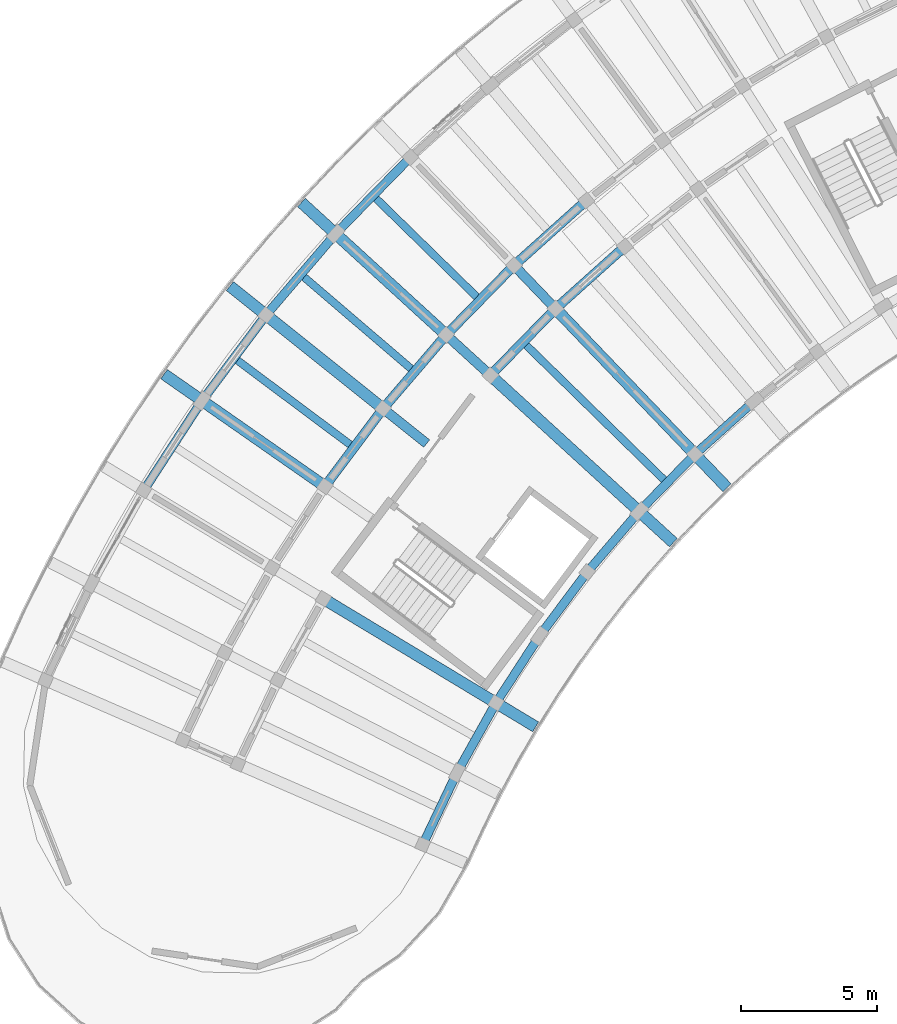
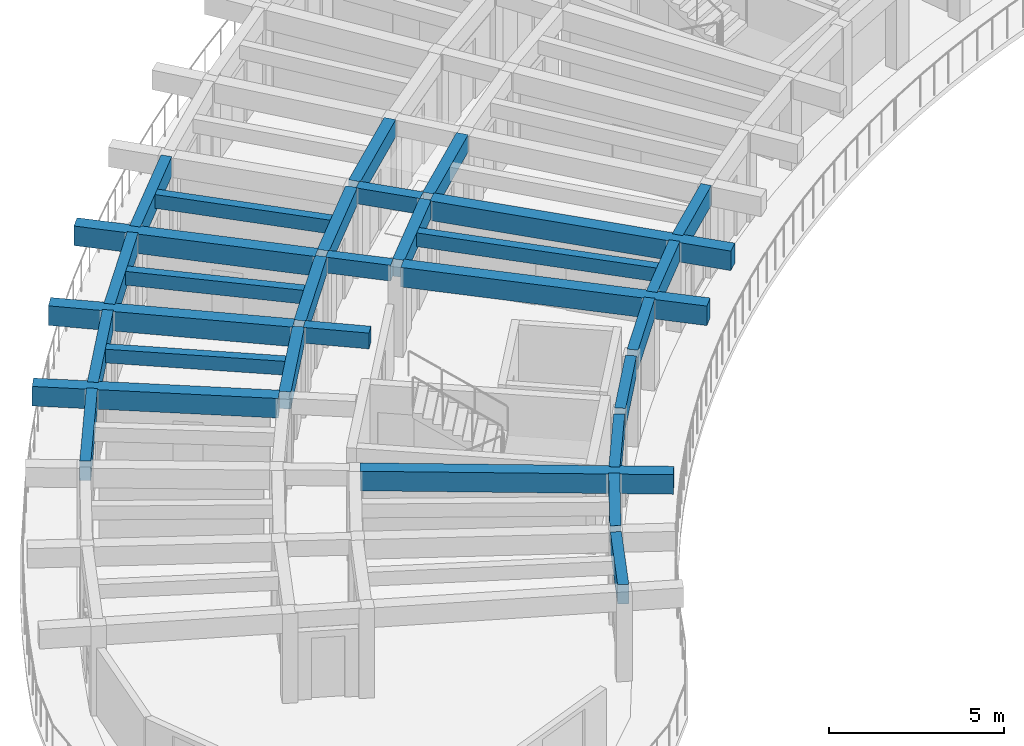
# One storey, part 4 of 36: 30 beams.
"""IFC4 building model written with IfcOpenShell, lengths in metres."""

from ifc_helpers import new_model, si_unit, direction, frame, origin, origin_2d, place, context, subcontext, project, spatial, rectangle, extrude, material, material_profile, profile_set, type_object, element, save


model = new_model("IFC4")

# Units and contexts
model_context = context("Model", 3, precision=1e-05, world=origin(), true_north=direction((0.0, 1.0)))
body_context = subcontext(model_context, "Body", "Model", "MODEL_VIEW")
ifc_project = project(units=[si_unit("LENGTHUNIT", "METRE"), si_unit("AREAUNIT", "SQUARE_METRE"), si_unit("VOLUMEUNIT", "CUBIC_METRE"), si_unit("PLANEANGLEUNIT", "RADIAN"), si_unit("MASSUNIT", "GRAM", prefix="KILO")], contexts=[model_context])

# Site, building, storey
site_placement = place(None, origin())
site = spatial("IfcSite", under=ifc_project, at=site_placement, CompositionType="ELEMENT")
building_placement = place(site_placement, origin())
building = spatial("IfcBuilding", under=site, at=building_placement, Name="Tanwirah Colonnade Gardens", CompositionType="ELEMENT")
storey_placement = place(building_placement, frame((0.0, 0.0, 39.080078125)))
storey = spatial("IfcBuildingStorey", under=building, at=storey_placement, Name="L11", CompositionType="ELEMENT", Elevation=39.080078125)

# Beams
ifc_material_1 = material(Name="Precast concrete C40/50", Category="concrete")
ifc_material_profile_1 = material_profile(ifc_material_1, rectangle(XDim=0.35009765625, YDim=0.550048828125, at=origin_2d()), Name="PC-BM 350x550")
ifc_profile_set_1 = profile_set([ifc_material_profile_1], Name="Precast concrete C40/50")
beam_type_1 = type_object("IfcBeamType", Name="BM-PC350A", PredefinedType="BEAM", material=ifc_profile_set_1)
beam_1_placement = place(storey_placement, frame((29.023193359375, 97.74560546875, 2.844970703125), z_axis=(-0.691913735329, 0.721980181766, 0.0), x_axis=(-0.721980181766, -0.691913735329, 0.0)))
element("IfcBeam", 1, at=beam_1_placement, inside=storey, type_object=beam_type_1, Name="Block A L11 Corridor Tie Beam 10", PredefinedType="BEAM", context=body_context, shape_type="SweptSolid", body=[
    extrude(rectangle(XDim=0.35009765625, YDim=0.550048828125, at=origin_2d()), origin(), (0.0, 0.0, 1.0), 1.900146484375),
])
for number, where, z_axis, x_axis, name in (
    (2, (26.62744140625, 95.29345703125, 2.844970703125), (-0.737948361517, 0.674857181732, 0.0), (-0.674857181732, -0.737948361517, 0.0), "Block A L11 Corridor Tie Beam 11"),
    (3, (24.398681640625, 92.68896484375, 2.844970703125), (-0.78073089418, 0.624867402633, 0.0), (-0.624867402633, -0.78073089418, 0.0), "Block A L11 Corridor Tie Beam 12"),
):
    element("IfcBeam", number, at=place(storey_placement, frame(where, z_axis=z_axis, x_axis=x_axis)), inside=storey, type_object=beam_type_1, Name=name, PredefinedType="BEAM", context=body_context, shape_type="SweptSolid", body=[
        extrude(rectangle(XDim=0.35009765625, YDim=0.550048828125, at=origin_2d()), origin(), (0.0, 0.0, 1.0), 1.89990234375),
    ])
ifc_material_profile_2 = material_profile(ifc_material_1, rectangle(XDim=0.35009765625, YDim=0.60009765625, at=origin_2d()), Name="PC-BM 350x600")
ifc_profile_set_2 = profile_set([ifc_material_profile_2], Name="Precast concrete C40/50")
beam_type_2 = type_object("IfcBeamType", Name="BM-PC350B", PredefinedType="BEAM", material=ifc_profile_set_2)
beam_2_placement = place(storey_placement, frame((31.559814453125, 99.8193359375, 2.81982421875), z_axis=(-0.744429866059, -0.667700662363, 0.0), x_axis=(0.667700662363, -0.744429866059, 0.0)))
element("IfcBeam", 4, at=beam_2_placement, inside=storey, type_object=beam_type_2, Name="Block A L11 Circumferential Beam 9-R1", PredefinedType="BEAM", context=body_context, shape_type="SweptSolid", body=[
    extrude(rectangle(XDim=0.35009765625, YDim=0.60009765625, at=origin_2d()), origin(), (0.0, 0.0, 1.0), 3.1181640625),
])
beam_3_placement = place(storey_placement, frame((30.145751953125, 101.504638671875, 2.81982421875), z_axis=(-0.744409136578, -0.667723773262, 0.0), x_axis=(0.667723773262, -0.744409136578, 0.0)))
element("IfcBeam", 5, at=beam_3_placement, inside=storey, type_object=beam_type_2, Name="Block A L11 Circumferential Beam 9-R2", PredefinedType="BEAM", context=body_context, shape_type="SweptSolid", body=[
    extrude(rectangle(XDim=0.35009765625, YDim=0.60009765625, at=origin_2d()), origin(), (0.0, 0.0, 1.0), 3.26318359375),
])
beam_4_placement = place(storey_placement, frame((29.02197265625, 97.52978515625, 2.81982421875), z_axis=(-0.698837366631, -0.715280598787, 0.0), x_axis=(0.715280598787, -0.698837366631, 0.0)))
element("IfcBeam", 6, at=beam_4_placement, inside=storey, type_object=beam_type_2, Name="Block A L11 Circumferential Beam 10-R1", PredefinedType="BEAM", context=body_context, shape_type="SweptSolid", body=[
    extrude(rectangle(XDim=0.35009765625, YDim=0.60009765625, at=origin_2d()), origin(), (0.0, 0.0, 1.0), 3.117919921875),
])
beam_5_placement = place(storey_placement, frame((27.5, 99.118408203125, 2.81982421875), z_axis=(-0.698829447339, -0.71528833594, 0.0), x_axis=(0.71528833594, -0.698829447339, 0.0)))
element("IfcBeam", 7, at=beam_5_placement, inside=storey, type_object=beam_type_2, Name="Block A L11 Circumferential Beam 10-R2", PredefinedType="BEAM", context=body_context, shape_type="SweptSolid", body=[
    extrude(rectangle(XDim=0.35009765625, YDim=0.60009765625, at=origin_2d()), origin(), (0.0, 0.0, 1.0), 3.263427734375),
])
beam_6_placement = place(storey_placement, frame((25.017333984375, 96.56298828125, 2.81982421875), z_axis=(-0.650218192342, -0.759747525398, 0.0), x_axis=(0.759747525398, -0.650218192342, 0.0)))
element("IfcBeam", 8, at=beam_6_placement, inside=storey, type_object=beam_type_2, Name="Block A L11 Circumferential Beam 11-R2", PredefinedType="BEAM", context=body_context, shape_type="SweptSolid", body=[
    extrude(rectangle(XDim=0.35009765625, YDim=0.60009765625, at=origin_2d()), origin(), (0.0, 0.0, 1.0), 3.26318359375),
])
beam_7_placement = place(storey_placement, frame((22.708251953125, 93.849609375, 2.81982421875), z_axis=(-0.59871829396, -0.800959677186, 0.0), x_axis=(0.800959677186, -0.59871829396, 0.0)))
element("IfcBeam", 9, at=beam_7_placement, inside=storey, type_object=beam_type_2, Name="Block A L11 Circumferential Beam 12-R2", PredefinedType="BEAM", context=body_context, shape_type="SweptSolid", body=[
    extrude(rectangle(XDim=0.35009765625, YDim=0.60009765625, at=origin_2d()), origin(), (0.0, 0.0, 1.0), 3.262939453125),
])
ifc_material_2 = material(Name="Precast concrete C45/55", Category="concrete")
ifc_material_profile_3 = material_profile(ifc_material_2, rectangle(XDim=0.419921875, YDim=0.679931640625, at=origin_2d()), Name="PC-BM 420x680")
ifc_profile_set_3 = profile_set([ifc_material_profile_3], Name="Precast concrete C45/55")
beam_type_3 = type_object("IfcBeamType", Name="BM-PC420", PredefinedType="BEAM", material=ifc_profile_set_3)
for number, where, z_axis, x_axis, name in (
    (10, (29.230712890625, 97.52880859375, 2.780029296875), (0.691860926595, -0.722030787606, 0.0), (0.722030787606, 0.691860926595, 0.0), "Block A L11 Inner Radial Precast Girder 10"),
    (11, (26.848876953125, 95.091064453125, 2.780029296875), (0.737937205818, -0.674869380154, 0.0), (0.674869380154, 0.737937205818, 0.0), "Block A L11 Inner Radial Precast Girder 11"),
):
    element("IfcBeam", number, at=place(storey_placement, frame(where, z_axis=z_axis, x_axis=x_axis)), inside=storey, type_object=beam_type_3, Name=name, PredefinedType="BEAM", context=body_context, shape_type="SweptSolid", body=[
        extrude(rectangle(XDim=0.419921875, YDim=0.679931640625, at=origin_2d()), origin(), (0.0, 0.0, 1.0), 8.949951171875),
    ])
for number, where, z_axis, x_axis, name in (
    (12, (25.004150390625, 96.7783203125, 2.780029296875), (-0.737934199263, 0.674872667663, 0.0), (-0.674872667663, -0.737934199263, 0.0), "Block A L11 Outer Radial Precast Girder 11"),
    (13, (22.680908203125, 94.0634765625, 2.780029296875), (-0.780794476885, 0.624787951921, 0.0), (-0.624787951921, -0.780794476885, 0.0), "Block A L11 Outer Radial Precast Girder 12"),
    (14, (20.541748046875, 91.20166015625, 2.780029296875), (-0.820270158139, 0.571976282433, 0.0), (-0.571976282433, -0.820270158139, 0.0), "Block A L11 Outer Radial Precast Girder 13"),
):
    element("IfcBeam", number, at=place(storey_placement, frame(where, z_axis=z_axis, x_axis=x_axis)), inside=storey, type_object=beam_type_3, Name=name, PredefinedType="BEAM", context=body_context, shape_type="SweptSolid", body=[
        extrude(rectangle(XDim=0.419921875, YDim=0.679931640625, at=origin_2d()), origin(), (0.0, 0.0, 1.0), 7.050048828125),
    ])
beam_8_placement = place(storey_placement, frame((20.736083984375, 86.913330078125, 2.780029296875), z_axis=(0.856168728297, -0.516696340887, 0.0), x_axis=(0.516696340887, 0.856168728297, 0.0)))
element("IfcBeam", 15, at=beam_8_placement, inside=storey, type_object=beam_type_3, Name="Block A L11 Inner Radial Precast Girder 14", PredefinedType="BEAM", context=body_context, shape_type="SweptSolid", body=[
    extrude(rectangle(XDim=0.419921875, YDim=0.679931640625, at=origin_2d()), origin(), (0.0, 0.0, 1.0), 8.9501953125),
])
ifc_material_profile_4 = material_profile(ifc_material_1, rectangle(XDim=0.280029296875, YDim=0.47998046875, at=origin_2d()), Name="PC-JST 280x480")
ifc_profile_set_4 = profile_set([ifc_material_profile_4], Name="Precast concrete C40/50")
beam_type_4 = type_object("IfcBeamType", Name="JST-PC280", PredefinedType="JOIST", material=ifc_profile_set_4)
beam_9_placement = place(storey_placement, frame((26.2529296875, 98.0556640625, 2.8798828125), z_axis=(-0.715297399369, 0.698820170327, 0.0), x_axis=(-0.698820170327, -0.715297399369, 0.0)))
element("IfcBeam", 16, at=beam_9_placement, inside=storey, type_object=beam_type_4, Name="Block A L11 Precast Floor Joist 10", PredefinedType="JOIST", context=body_context, shape_type="SweptSolid", body=[
    extrude(rectangle(XDim=0.280029296875, YDim=0.47998046875, at=origin_2d()), origin(), (0.0, 0.0, 1.0), 5.260009765625),
])
beam_10_placement = place(storey_placement, frame((33.11962890625, 91.346923828125, 2.8798828125), z_axis=(-0.715276680509, 0.698841377081, 0.0), x_axis=(-0.698841377081, -0.715276680509, 0.0)))
element("IfcBeam", 17, at=beam_10_placement, inside=storey, type_object=beam_type_4, Name="Block A L11 Inner Precast Floor Joist 10", PredefinedType="JOIST", context=body_context, shape_type="SweptSolid", body=[
    extrude(rectangle(XDim=0.280029296875, YDim=0.47998046875, at=origin_2d()), origin(), (0.0, 0.0, 1.0), 7.159912109375),
])
beam_11_placement = place(storey_placement, frame((23.843017578125, 95.42041015625, 2.8798828125), z_axis=(-0.759770723643, 0.65019108537, 0.0), x_axis=(-0.65019108537, -0.759770723643, 0.0)))
element("IfcBeam", 18, at=beam_11_placement, inside=storey, type_object=beam_type_4, Name="Block A L11 Precast Floor Joist 11", PredefinedType="JOIST", context=body_context, shape_type="SweptSolid", body=[
    extrude(rectangle(XDim=0.280029296875, YDim=0.47998046875, at=origin_2d()), origin(), (0.0, 0.0, 1.0), 5.26025390625),
])
beam_12_placement = place(storey_placement, frame((21.61181640625, 92.63232421875, 2.8798828125), z_axis=(-0.800973647215, 0.598699604533, 0.0), x_axis=(-0.598699604533, -0.800973647215, 0.0)))
element("IfcBeam", 19, at=beam_12_placement, inside=storey, type_object=beam_type_4, Name="Block A L11 Precast Floor Joist 12", PredefinedType="JOIST", context=body_context, shape_type="SweptSolid", body=[
    extrude(rectangle(XDim=0.280029296875, YDim=0.47998046875, at=origin_2d()), origin(), (0.0, 0.0, 1.0), 5.260009765625),
])
ifc_material_profile_5 = material_profile(ifc_material_2, rectangle(XDim=0.320068359375, YDim=0.679931640625, at=origin_2d()), Name="PC-SP 320x680")
ifc_profile_set_5 = profile_set([ifc_material_profile_5], Name="Precast concrete C45/55")
beam_type_5 = type_object("IfcBeamType", Name="SP-PC320", PredefinedType="SPANDREL", material=ifc_profile_set_5)
beam_13_placement = place(storey_placement, frame((36.31640625, 94.150634765625, 2.780029296875), z_axis=(-0.744400790288, -0.667733077972, 0.0), x_axis=(0.667733077972, -0.744400790288, 0.0)))
element("IfcBeam", 20, at=beam_13_placement, inside=storey, type_object=beam_type_5, Name="Block A L11 Circumferential Beam 9-R0", PredefinedType="SPANDREL", context=body_context, shape_type="SweptSolid", body=[
    extrude(rectangle(XDim=0.320068359375, YDim=0.679931640625, at=origin_2d()), origin(), (0.0, 0.0, 1.0), 2.63037109375),
])
beam_14_placement = place(storey_placement, frame((34.141845703125, 92.186767578125, 2.780029296875), z_axis=(-0.698844462704, -0.715273665772, 0.0), x_axis=(0.715273665772, -0.698844462704, 0.0)))
element("IfcBeam", 21, at=beam_14_placement, inside=storey, type_object=beam_type_5, Name="Block A L11 Circumferential Beam 10-R0", PredefinedType="SPANDREL", context=body_context, shape_type="SweptSolid", body=[
    extrude(rectangle(XDim=0.320068359375, YDim=0.679931640625, at=origin_2d()), origin(), (0.0, 0.0, 1.0), 2.630126953125),
])
beam_15_placement = place(storey_placement, frame((23.69482421875, 103.089599609375, 2.780029296875), z_axis=(-0.698844493997, -0.715273635199, 0.0), x_axis=(0.715273635199, -0.698844493997, 0.0)))
element("IfcBeam", 22, at=beam_15_placement, inside=storey, type_object=beam_type_5, Name="Block A L11 Circumferential Beam 10-R3", PredefinedType="SPANDREL", context=body_context, shape_type="SweptSolid", body=[
    extrude(rectangle(XDim=0.320068359375, YDim=0.679931640625, at=origin_2d()), origin(), (0.0, 0.0, 1.0), 3.6259765625),
])
beam_16_placement = place(storey_placement, frame((32.101318359375, 90.084228515625, 2.780029296875), z_axis=(-0.650172023628, -0.759787035749, 0.0), x_axis=(0.759787035749, -0.650172023628, 0.0)))
element("IfcBeam", 23, at=beam_16_placement, inside=storey, type_object=beam_type_5, Name="Block A L11 Circumferential Beam 11-R0", PredefinedType="SPANDREL", context=body_context, shape_type="SweptSolid", body=[
    extrude(rectangle(XDim=0.320068359375, YDim=0.679931640625, at=origin_2d()), origin(), (0.0, 0.0, 1.0), 2.63037109375),
])
beam_17_placement = place(storey_placement, frame((20.95849609375, 100.27490234375, 2.780029296875), z_axis=(-0.65013123267, -0.75982193987, 0.0), x_axis=(0.75982193987, -0.65013123267, 0.0)))
element("IfcBeam", 24, at=beam_17_placement, inside=storey, type_object=beam_type_5, Name="Block A L11 Circumferential Beam 11-R3", PredefinedType="SPANDREL", context=body_context, shape_type="SweptSolid", body=[
    extrude(rectangle(XDim=0.320068359375, YDim=0.679931640625, at=origin_2d()), origin(), (0.0, 0.0, 1.0), 3.625732421875),
])
beam_18_placement = place(storey_placement, frame((30.203857421875, 87.851806640625, 2.780029296875), z_axis=(-0.598662613551, -0.80100129534, 0.0), x_axis=(0.80100129534, -0.598662613551, 0.0)))
element("IfcBeam", 25, at=beam_18_placement, inside=storey, type_object=beam_type_5, Name="Block A L11 Circumferential Beam 12-R0", PredefinedType="SPANDREL", context=body_context, shape_type="SweptSolid", body=[
    extrude(rectangle(XDim=0.320068359375, YDim=0.679931640625, at=origin_2d()), origin(), (0.0, 0.0, 1.0), 2.63037109375),
])
beam_19_placement = place(storey_placement, frame((18.413818359375, 97.285888671875, 2.780029296875), z_axis=(-0.598695554058, -0.800976674786, 0.0), x_axis=(0.800976674786, -0.598695554058, 0.0)))
element("IfcBeam", 26, at=beam_19_placement, inside=storey, type_object=beam_type_5, Name="Block A L11 Circumferential Beam 12-R3", PredefinedType="SPANDREL", context=body_context, shape_type="SweptSolid", body=[
    extrude(rectangle(XDim=0.320068359375, YDim=0.679931640625, at=origin_2d()), origin(), (0.0, 0.0, 1.0), 3.625732421875),
])
beam_20_placement = place(storey_placement, frame((28.45751953125, 85.4990234375, 2.780029296875), z_axis=(-0.544570677829, -0.838714955661, 0.0), x_axis=(0.838714955661, -0.544570677829, 0.0)))
element("IfcBeam", 27, at=beam_20_placement, inside=storey, type_object=beam_type_5, Name="Block A L11 Circumferential Beam 13-R0", PredefinedType="SPANDREL", context=body_context, shape_type="SweptSolid", body=[
    extrude(rectangle(XDim=0.320068359375, YDim=0.679931640625, at=origin_2d()), origin(), (0.0, 0.0, 1.0), 2.63037109375),
])
beam_21_placement = place(storey_placement, frame((16.071533203125, 94.135986328125, 2.780029296875), z_axis=(-0.544621436184, -0.838681996497, 0.0), x_axis=(0.838681996497, -0.544621436184, 0.0)))
element("IfcBeam", 28, at=beam_21_placement, inside=storey, type_object=beam_type_5, Name="Block A L11 Circumferential Beam 13-R3", PredefinedType="SPANDREL", context=body_context, shape_type="SweptSolid", body=[
    extrude(rectangle(XDim=0.320068359375, YDim=0.679931640625, at=origin_2d()), origin(), (0.0, 0.0, 1.0), 3.625732421875),
])
beam_22_placement = place(storey_placement, frame((26.8701171875, 83.036376953125, 2.780029296875), z_axis=(-0.488170837957, -0.872748092503, 0.0), x_axis=(0.872748092503, -0.488170837957, 0.0)))
element("IfcBeam", 29, at=beam_22_placement, inside=storey, type_object=beam_type_5, Name="Block A L11 Circumferential Beam 14-R0", PredefinedType="SPANDREL", context=body_context, shape_type="SweptSolid", body=[
    extrude(rectangle(XDim=0.320068359375, YDim=0.679931640625, at=origin_2d()), origin(), (0.0, 0.0, 1.0), 2.630126953125),
])
beam_23_placement = place(storey_placement, frame((25.448486328125, 80.474609375, 2.780029296875), z_axis=(-0.42964173036, -0.902999437172, 0.0), x_axis=(0.902999437172, -0.42964173036, 0.0)))
element("IfcBeam", 30, at=beam_23_placement, inside=storey, type_object=beam_type_5, Name="Block A L11 Circumferential Beam 15-R0", PredefinedType="SPANDREL", context=body_context, shape_type="SweptSolid", body=[
    extrude(rectangle(XDim=0.320068359375, YDim=0.679931640625, at=origin_2d()), origin(), (0.0, 0.0, 1.0), 2.63037109375),
])

save(model, "model.ifc")
